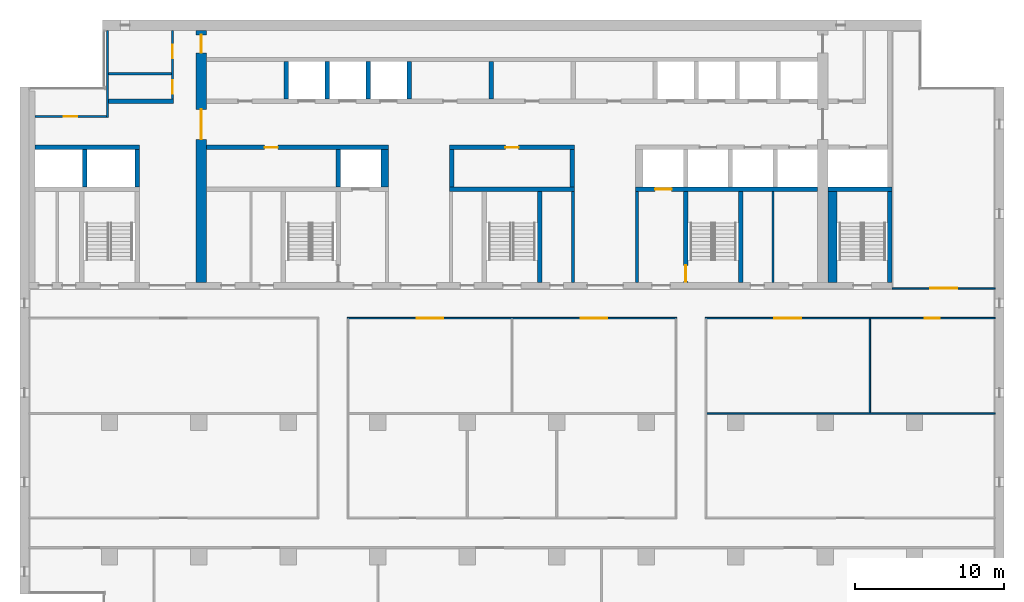
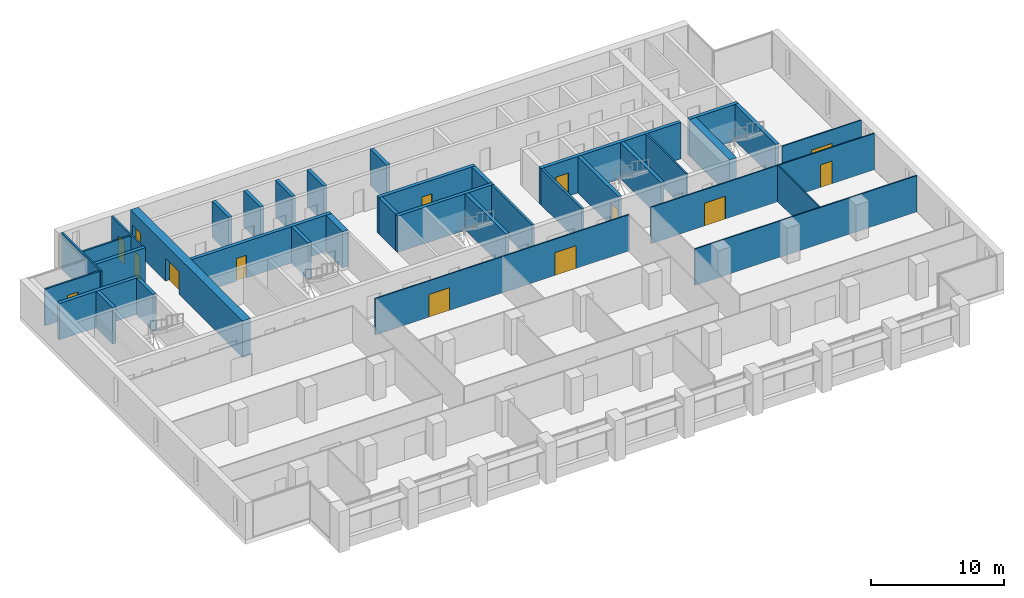
# One storey, part 10 of 17: 36 walls, 14 doors, 14 openings.
"""IFC4 building model written with IfcOpenShell, lengths in metres."""

import ifcopenshell
import ifcopenshell.guid

model = None  # the IFC model being written
_history = None  # IfcOwnerHistory: only IFC2X3 demands one
_inside = {}  # id of a spatial element -> (the spatial element, [elements in it])
_under = {}  # id of a project, library or spatial element -> (it, [spatial elements below it])
_declared = {}  # id of a project -> (the project, [libraries it declares])
_typed = {}  # id of a type object -> (the type object, [elements of that type])
_made_of = {}  # id of a material, layer set ... -> (it, [elements and type objects made of it])


def new_model(schema):
    """Start an empty IFC model of exactly this schema.

    Asked for "IFC4X3", IfcOpenShell would pick the latest addendum, in which some entities
    have other attributes; the version numbers below select the first issue.
    IFC2X3 requires an IfcOwnerHistory on every rooted entity: one is made here for all.
    """
    global model, _history
    if schema == "IFC4X3":
        model = ifcopenshell.file(schema_version=(4, 3, 0, 0))
    else:
        model = ifcopenshell.file(schema=schema)
    _inside.clear()
    _under.clear()
    _declared.clear()
    _typed.clear()
    _made_of.clear()
    _history = None
    if model.schema == "IFC2X3":
        org = make("IfcOrganization", Name="unknown")
        user = make(
            "IfcPersonAndOrganization",
            ThePerson=make("IfcPerson", FamilyName="unknown"),
            TheOrganization=org,
        )
        app = make(
            "IfcApplication",
            ApplicationDeveloper=org,
            Version="unknown",
            ApplicationFullName="unknown",
            ApplicationIdentifier="unknown",
        )
        _history = make(
            "IfcOwnerHistory",
            OwningUser=user,
            OwningApplication=app,
            ChangeAction="ADDED",
            CreationDate=0,
        )
    return model


def make(cls, **values):
    """One entity of the class cls with the attributes given. An attribute that is None is left unset."""
    return model.create_entity(
        cls, **{name: value for name, value in values.items() if value is not None}
    )


def rooted(cls, **values):
    """An entity with a GlobalId (a new one), such as an element, a storey or a relation."""
    return make(cls, GlobalId=ifcopenshell.guid.new(), OwnerHistory=_history, **values)


def si_unit(unit_type, name, prefix=None):
    """IfcSIUnit, for example si_unit("LENGTHUNIT", "METRE", prefix="MILLI")."""
    return make("IfcSIUnit", UnitType=unit_type, Prefix=prefix, Name=name)


def assignment(units):
    """IfcUnitAssignment: the units of a project."""
    return None if units is None else make("IfcUnitAssignment", Units=units)


def point(xyz):
    """IfcCartesianPoint."""
    return None if xyz is None else make("IfcCartesianPoint", Coordinates=xyz)


def direction(xyz):
    """IfcDirection."""
    return None if xyz is None else make("IfcDirection", DirectionRatios=xyz)


def frame(location, z_axis=None, x_axis=None):
    """IfcAxis2Placement3D, a coordinate frame: its origin and axes. An axis left out is left unset."""
    return make(
        "IfcAxis2Placement3D",
        Location=point(location),
        Axis=direction(z_axis),
        RefDirection=direction(x_axis),
    )


def frame_2d(location, x_axis=None):
    """IfcAxis2Placement2D, a coordinate frame in the plane: its origin and x axis."""
    return make(
        "IfcAxis2Placement2D", Location=point(location), RefDirection=direction(x_axis)
    )


def origin():
    """The frame at (0, 0, 0) with its axes left unset."""
    return frame((0.0, 0.0, 0.0))


def place(relative_to, where):
    """IfcLocalPlacement: puts the frame where relative to a parent placement (None: the world)."""
    return make(
        "IfcLocalPlacement", PlacementRelTo=relative_to, RelativePlacement=where
    )


def context(
    kind, dimensions, precision=None, world=None, true_north=None, identifier=None
):
    """IfcGeometricRepresentationContext, for example the 3D "Model" context."""
    return make(
        "IfcGeometricRepresentationContext",
        ContextIdentifier=identifier,
        ContextType=kind,
        CoordinateSpaceDimension=dimensions,
        Precision=precision,
        WorldCoordinateSystem=world,
        TrueNorth=true_north,
    )


def subcontext(parent, identifier, kind, view, scale=None):
    """IfcGeometricRepresentationSubContext, for example "Body" below "Model"."""
    return make(
        "IfcGeometricRepresentationSubContext",
        ContextIdentifier=identifier,
        ContextType=kind,
        ParentContext=parent,
        TargetScale=scale,
        TargetView=view,
    )


def project(units=None, contexts=None):
    """IfcProject with its units and contexts."""
    return rooted(
        "IfcProject",
        Name="project",
        RepresentationContexts=contexts,
        UnitsInContext=assignment(units),
    )


def spatial(cls, under=None, at=None, **own):
    """A site, building, storey or space (cls), placed at a placement, below another one or the project."""
    s = rooted(cls, ObjectPlacement=at, **own)
    if under is not None:
        _under.setdefault(under.id(), (under, []))[1].append(s)
    return s


def profile(cls, at=None, kind="AREA", **sizes):
    """A parametric profile (cls). Its sizes go by their IFC names, for example OverallWidth=200.0."""
    return make(cls, ProfileType=kind, Position=at, **sizes)


def rectangle(**sizes):
    """IfcRectangleProfileDef."""
    return profile("IfcRectangleProfileDef", **sizes)


def extrude(swept, where, along, depth):
    """IfcExtrudedAreaSolid: the profile swept, set in the frame where, extruded along a direction by depth."""
    return make(
        "IfcExtrudedAreaSolid",
        SweptArea=swept,
        Position=where,
        ExtrudedDirection=direction(along),
        Depth=depth,
    )


def shape(context_of_items, identifier, shape_type, items):
    """IfcShapeRepresentation: the items that make up one representation, for example the "Body"."""
    return make(
        "IfcShapeRepresentation",
        ContextOfItems=context_of_items,
        RepresentationIdentifier=identifier,
        RepresentationType=shape_type,
        Items=items,
    )


def material(Name=None, Category=None):
    """IfcMaterial."""
    return make("IfcMaterial", Name=Name, Category=Category)


def layer(
    of_material, thickness, ventilated=None, Name=None, Category=None, Priority=None
):
    """IfcMaterialLayer: one layer of a wall or slab, of a material (None: an air gap)."""
    return make(
        "IfcMaterialLayer",
        Material=of_material,
        LayerThickness=thickness,
        IsVentilated=ventilated,
        Name=Name,
        Category=Category,
        Priority=Priority,
    )


def layer_set(layers, Name=None):
    """IfcMaterialLayerSet."""
    return make("IfcMaterialLayerSet", MaterialLayers=layers, LayerSetName=Name)


def made_of(thing, what):
    """Note that an element or type object is made of a material, layer set ...; save() writes the relation."""
    if what is not None:
        _made_of.setdefault(what.id(), (what, []))[1].append(thing)
    return thing


def type_object(cls, material=None, **own):
    """A type object (cls), such as IfcWallType, which elements share."""
    return made_of(rooted(cls, **own), material)


def element(
    cls,
    number,
    at=None,
    inside=None,
    cuts=None,
    type_object=None,
    material=None,
    context=None,
    identifier="Body",
    shape_type=None,
    held_by="IfcProductDefinitionShape",
    body=None,
    shapes=None,
    **own,
):
    """One element of the class cls, such as IfcWall. Its Tag is "e" and its number.

    at: its placement. inside: the storey or other place that contains it. cuts: it is an
    opening in that element (IfcRelVoidsElement). A single representation is given by context,
    identifier, shape_type and body (its items); several are given by shapes. held_by: the class
    of the entity that holds the representations. save() writes the other relations.
    """
    e = rooted(cls, Tag="e%d" % number, ObjectPlacement=at, **own)
    if body is not None:
        shapes = [shape(context, identifier, shape_type, body)]
    if shapes is not None:
        e.Representation = make(held_by, Representations=shapes)
    if inside is not None:
        _inside.setdefault(inside.id(), (inside, []))[1].append(e)
    if cuts is not None:
        rooted(
            "IfcRelVoidsElement", RelatingBuildingElement=cuts, RelatedOpeningElement=e
        )
    if type_object is not None:
        _typed.setdefault(type_object.id(), (type_object, []))[1].append(e)
    return made_of(e, material)


def fill(opening, filler):
    """IfcRelFillsElement: the door or window that sits in an opening."""
    return rooted(
        "IfcRelFillsElement",
        RelatingOpeningElement=opening,
        RelatedBuildingElement=filler,
    )


def aggregate(whole, parts):
    """IfcRelAggregates: a whole, such as a stair, and the parts it consists of."""
    return rooted("IfcRelAggregates", RelatingObject=whole, RelatedObjects=parts)


def save(model, path):
    """Write the relations noted so far, then the file.

    IfcRelAggregates (storeys below a building ...), IfcRelContainedInSpatialStructure (elements
    in a storey), IfcRelDefinesByType, IfcRelAssociatesMaterial and IfcRelDeclares: one each for
    every whole, place, type object, material and project.
    """
    for whole, parts in _under.values():
        aggregate(whole, parts)
    for where, things in _inside.values():
        rooted(
            "IfcRelContainedInSpatialStructure",
            RelatedElements=things,
            RelatingStructure=where,
        )
    for kind, things in _typed.values():
        rooted("IfcRelDefinesByType", RelatedObjects=things, RelatingType=kind)
    for what, things in _made_of.values():
        rooted("IfcRelAssociatesMaterial", RelatedObjects=things, RelatingMaterial=what)
    for by, libraries in _declared.values():
        rooted("IfcRelDeclares", RelatingContext=by, RelatedDefinitions=libraries)
    model.write(path)


model = new_model("IFC4")

# Units and contexts
model_context = context("Model", 3, precision=1e-05, world=origin(), true_north=direction((0.0, 1.0)))
body_context = subcontext(model_context, "Body", "Model", "MODEL_VIEW")
ifc_project = project(units=[si_unit("LENGTHUNIT", "METRE"), si_unit("AREAUNIT", "SQUARE_METRE"), si_unit("VOLUMEUNIT", "CUBIC_METRE"), si_unit("PLANEANGLEUNIT", "RADIAN"), si_unit("MASSUNIT", "GRAM", prefix="KILO")], contexts=[model_context])

# Site, building, storey
site_placement = place(None, origin())
site = spatial("IfcSite", under=ifc_project, at=site_placement, CompositionType="ELEMENT")
building_placement = place(site_placement, origin())
building = spatial("IfcBuilding", under=site, at=building_placement, Name="Calvaro Tower", CompositionType="ELEMENT")
storey_placement = place(building_placement, frame((0.0, 0.0, 189.25)))
storey = spatial("IfcBuildingStorey", under=building, at=storey_placement, Name="L47", CompositionType="ELEMENT", Elevation=189.25)

# Walls
ifc_material_1 = material(Name="Blockwork partition", Category="masonry")
ifc_layer_1 = layer(ifc_material_1, 0.14990234375)
ifc_layer_set_1 = layer_set([ifc_layer_1], Name="Blockwork partition")
wall_type_1 = type_object("IfcWallType", Name="Core partition 150 EI 60", PredefinedType="PARTITIONING", material=ifc_layer_set_1)
wall_1_placement = place(storey_placement, frame((56.5, 28.39990234375, 0.0), z_axis=(0.0, 0.0, 1.0), x_axis=(0.0, 1.0, 0.0)))
element("IfcWall", 1, at=wall_1_placement, inside=storey, type_object=wall_type_1, Name="Core partition", PredefinedType="PARTITIONING", context=body_context, shape_type="SweptSolid", body=[
    extrude(rectangle(XDim=6.10009765625, YDim=0.14990234375, at=frame_2d((3.050048828125, 0.0))), origin(), (0.0, 0.0, 1.0), 3.35009765625),
])
wall_2_placement = place(storey_placement, frame((11.949951171875, 42.39990234375, 0.0), z_axis=(0.0, 0.0, 1.0), x_axis=(1.0, 0.0, 0.0)))
element("IfcWall", 2, at=wall_2_placement, inside=storey, type_object=wall_type_1, Name="Core partition", PredefinedType="PARTITIONING", context=body_context, shape_type="SweptSolid", body=[
    extrude(rectangle(XDim=4.199951171875, YDim=0.14990234375, at=frame_2d((2.10009765625, 0.0))), origin(), (0.0, 0.0, 1.0), 3.35009765625),
])

# Wall, openings, doors
ifc_material_2 = material(Name="Blockwork partition", Category="masonry")
ifc_layer_2 = layer(ifc_material_2, 0.14990234375)
ifc_layer_set_2 = layer_set([ifc_layer_2], Name="Blockwork partition")
wall_type_2 = type_object("IfcWallType", Name="Core partition 150 REI 120", PredefinedType="PARTITIONING", material=ifc_layer_set_2)
wall_3_placement = place(storey_placement, frame((16.22509765625, 45.300048828125, 0.0), z_axis=(0.0, 0.0, 1.0), x_axis=(0.0, -1.0, 0.0)))
wall_3 = element("IfcWall", 3, at=wall_3_placement, inside=storey, type_object=wall_type_2, Name="Core partition", PredefinedType="PARTITIONING", context=body_context, shape_type="SweptSolid", body=[
    extrude(rectangle(XDim=4.60009765625, YDim=0.14990234375, at=frame_2d((2.300048828125, 0.0))), origin(), (0.0, 0.0, 1.0), 3.35009765625),
])
opening_1_placement = place(wall_3_placement, frame((3.33740234375, 0.0, 0.0)))
opening_1 = element("IfcOpeningElement", 4, at=opening_1_placement, cuts=wall_3, Name="Opening RD9", PredefinedType="OPENING", context=body_context, shape_type="SweptSolid", body=[
    extrude(rectangle(XDim=0.89990234375, YDim=2.10009765625, at=frame_2d((0.449951171875, 1.050048828125))), frame((0.0, 0.0849609375, 0.0), z_axis=(0.0, -1.0, 0.0), x_axis=(1.0, 0.0, 0.0)), (0.0, 0.0, 1.0), 0.169921875),
])
opening_2_placement = place(wall_3_placement, frame((0.96240234375, 0.0, 0.0)))
opening_2 = element("IfcOpeningElement", 5, at=opening_2_placement, cuts=wall_3, Name="Opening RD9", PredefinedType="OPENING", context=body_context, shape_type="SweptSolid", body=[
    extrude(rectangle(XDim=0.89990234375, YDim=2.10009765625, at=frame_2d((0.449951171875, 1.050048828125))), frame((0.0, 0.0849609375, 0.0), z_axis=(0.0, -1.0, 0.0), x_axis=(1.0, 0.0, 0.0)), (0.0, 0.0, 1.0), 0.169921875),
])
ifc_material_3 = material(Name="Steel door set", Category="steel")
door_type_1 = type_object("IfcDoorType", Name="Room door 900", OperationType="SINGLE_SWING_LEFT", PredefinedType="DOOR", material=ifc_material_3)
door_1_placement = place(opening_1_placement, origin())
door_1 = element("IfcDoor", 6, at=door_1_placement, inside=storey, type_object=door_type_1, Name="Room door", OperationType="SINGLE_SWING_RIGHT", OverallHeight=2.10009765625, OverallWidth=0.89990234375, PredefinedType="DOOR", context=body_context, shape_type="SweptSolid", body=[
    extrude(rectangle(XDim=0.89990234375, YDim=2.10009765625, at=frame_2d((0.449951171875, 1.050048828125))), frame((0.0, 0.02490234375, 0.0), z_axis=(0.0, -1.0, 0.0), x_axis=(1.0, 0.0, 0.0)), (0.0, 0.0, 1.0), 0.050048828125),
])
fill(opening_1, door_1)
door_2_placement = place(opening_2_placement, origin())
door_2 = element("IfcDoor", 7, at=door_2_placement, inside=storey, type_object=door_type_1, Name="Room door", OperationType="SINGLE_SWING_LEFT", OverallHeight=2.10009765625, OverallWidth=0.89990234375, PredefinedType="DOOR", context=body_context, shape_type="SweptSolid", body=[
    extrude(rectangle(XDim=0.89990234375, YDim=2.10009765625, at=frame_2d((0.449951171875, 1.050048828125))), frame((0.0, 0.02490234375, 0.0), z_axis=(0.0, -1.0, 0.0), x_axis=(1.0, 0.0, 0.0)), (0.0, 0.0, 1.0), 0.050048828125),
])
fill(opening_2, door_2)

# Wall
wall_4_placement = place(storey_placement, frame((11.875, 39.449951171875, 0.0), z_axis=(0.0, 0.0, 1.0), x_axis=(0.0, 1.0, 0.0)))
element("IfcWall", 8, at=wall_4_placement, inside=storey, type_object=wall_type_2, Name="Core partition", PredefinedType="PARTITIONING", context=body_context, shape_type="SweptSolid", body=[
    extrude(rectangle(XDim=5.85009765625, YDim=0.14990234375, at=frame_2d((2.925048828125, 0.0))), origin(), (0.0, 0.0, 1.0), 3.35009765625),
])

# Wall, opening, door
wall_5_placement = place(storey_placement, frame((7.0, 39.52490234375, 0.0), z_axis=(0.0, 0.0, 1.0), x_axis=(1.0, 0.0, 0.0)))
wall_5 = element("IfcWall", 9, at=wall_5_placement, inside=storey, type_object=wall_type_2, Name="Core partition", PredefinedType="PARTITIONING", context=body_context, shape_type="SweptSolid", body=[
    extrude(rectangle(XDim=4.800048828125, YDim=0.14990234375, at=frame_2d((2.39990234375, 0.0))), origin(), (0.0, 0.0, 1.0), 3.35009765625),
])
opening_3_placement = place(wall_5_placement, frame((1.949951171875, 0.0, 0.0)))
opening_3 = element("IfcOpeningElement", 10, at=opening_3_placement, cuts=wall_5, Name="Opening RD9", PredefinedType="OPENING", context=body_context, shape_type="SweptSolid", body=[
    extrude(rectangle(XDim=0.89990234375, YDim=2.10009765625, at=frame_2d((0.449951171875, 1.050048828125))), frame((0.0, 0.0849609375, 0.0), z_axis=(0.0, -1.0, 0.0), x_axis=(1.0, 0.0, 0.0)), (0.0, 0.0, 1.0), 0.169921875),
])
door_3_placement = place(opening_3_placement, origin())
door_3 = element("IfcDoor", 11, at=door_3_placement, inside=storey, type_object=door_type_1, Name="Room door", OperationType="SINGLE_SWING_LEFT", OverallHeight=2.10009765625, OverallWidth=0.89990234375, PredefinedType="DOOR", context=body_context, shape_type="SweptSolid", body=[
    extrude(rectangle(XDim=0.89990234375, YDim=2.10009765625, at=frame_2d((0.449951171875, 1.050048828125))), frame((0.0, 0.02490234375, 0.0), z_axis=(0.0, -1.0, 0.0), x_axis=(1.0, 0.0, 0.0)), (0.0, 0.0, 1.0), 0.050048828125),
])
fill(opening_3, door_3)

# Walls
ifc_material_4 = material(Name="Blockwork partition", Category="masonry")
ifc_layer_3 = layer(ifc_material_4, 0.199951171875)
ifc_layer_set_3 = layer_set([ifc_layer_3], Name="Blockwork partition")
wall_type_3 = type_object("IfcWallType", Name="Core partition 200 REI 120", PredefinedType="PARTITIONING", material=ifc_layer_set_3)
for number, where, z_axis, x_axis, name in (
    (12, (43.10009765625, 28.39990234375, 0.0), (0.0, 0.0, 1.0), (0.0, 1.0, 0.0), "Core partition"),
    (13, (47.39990234375, 28.39990234375, 0.0), (0.0, 0.0, 1.0), (0.0, 1.0, 0.0), "Core partition"),
):
    element("IfcWall", number, at=place(storey_placement, frame(where, z_axis=z_axis, x_axis=x_axis)), inside=storey, type_object=wall_type_3, Name=name, PredefinedType="PARTITIONING", context=body_context, shape_type="SweptSolid", body=[
        extrude(rectangle(XDim=6.10009765625, YDim=0.199951171875, at=frame_2d((3.050048828125, 0.0))), origin(), (0.0, 0.0, 1.0), 3.35009765625),
    ])
ifc_material_5 = material(Name="Blockwork partition", Category="masonry")
ifc_layer_4 = layer(ifc_material_5, 0.300048828125)
ifc_layer_set_4 = layer_set([ifc_layer_4], Name="Blockwork partition")
wall_type_4 = type_object("IfcWallType", Name="Core partition 300 REI 120", PredefinedType="PARTITIONING", material=ifc_layer_set_4)
wall_6_placement = place(storey_placement, frame((11.949951171875, 40.550048828125, 0.0), z_axis=(0.0, 0.0, 1.0), x_axis=(1.0, 0.0, 0.0)))
element("IfcWall", 14, at=wall_6_placement, inside=storey, type_object=wall_type_4, Name="Core partition", PredefinedType="PARTITIONING", context=body_context, shape_type="SweptSolid", body=[
    extrude(rectangle(XDim=4.35009765625, YDim=0.300048828125, at=frame_2d((2.175048828125, 0.0))), origin(), (0.0, 0.0, 1.0), 3.35009765625),
])
wall_7_placement = place(storey_placement, frame((37.60009765625, 40.699951171875, 0.0), z_axis=(0.0, 0.0, 1.0), x_axis=(0.0, 1.0, 0.0)))
element("IfcWall", 15, at=wall_7_placement, inside=storey, type_object=wall_type_4, Name="Core partition", PredefinedType="PARTITIONING", context=body_context, shape_type="SweptSolid", body=[
    extrude(rectangle(XDim=2.5, YDim=0.300048828125, at=frame_2d((1.25, 0.0))), origin(), (0.0, 0.0, 1.0), 3.35009765625),
])
ifc_material_6 = material(Name="Concrete C50/60", Category="concrete")
ifc_layer_5 = layer(ifc_material_6, 0.300048828125)
ifc_layer_set_5 = layer_set([ifc_layer_5], Name="Concrete C50/60")
wall_type_5 = type_object("IfcWallType", Name="Core wall C50/60 300", PredefinedType="SHEAR", material=ifc_layer_set_5)
wall_8_placement = place(storey_placement, frame((40.85009765625, 28.39990234375, 0.0), z_axis=(0.0, 0.0, 1.0), x_axis=(0.0, 1.0, 0.0)))
element("IfcWall", 16, at=wall_8_placement, inside=storey, type_object=wall_type_5, Name="Core wall, stair enclosure", PredefinedType="SHEAR", context=body_context, shape_type="SweptSolid", body=[
    extrude(rectangle(XDim=6.10009765625, YDim=0.300048828125, at=frame_2d((3.050048828125, 0.0))), origin(), (0.0, 0.0, 1.0), 3.35009765625),
])

# Wall, opening, door
wall_9_placement = place(storey_placement, frame((50.64990234375, 34.5, 0.0), z_axis=(0.0, 0.0, 1.0), x_axis=(0.0, -1.0, 0.0)))
wall_9 = element("IfcWall", 17, at=wall_9_placement, inside=storey, type_object=wall_type_5, Name="Core wall, stair enclosure", PredefinedType="SHEAR", context=body_context, shape_type="SweptSolid", body=[
    extrude(rectangle(XDim=6.10009765625, YDim=0.300048828125, at=frame_2d((3.050048828125, 0.0))), origin(), (0.0, 0.0, 1.0), 3.35009765625),
])
opening_4_placement = place(wall_9_placement, frame((4.949951171875, 0.0, 0.0)))
opening_4 = element("IfcOpeningElement", 18, at=opening_4_placement, cuts=wall_9, Name="Opening FD11D", PredefinedType="OPENING", context=body_context, shape_type="SweptSolid", body=[
    extrude(rectangle(XDim=1.10009765625, YDim=2.10009765625, at=frame_2d((0.550048828125, 1.050048828125))), frame((0.0, 0.159912109375, 0.0), z_axis=(0.0, -1.0, 0.0), x_axis=(1.0, 0.0, 0.0)), (0.0, 0.0, 1.0), 0.320068359375),
])
ifc_material_7 = material(Name="Steel door set", Category="steel")
door_type_2 = type_object("IfcDoorType", Name="Fire door 1100 FD30S", OperationType="SINGLE_SWING_LEFT", PredefinedType="DOOR", material=ifc_material_7)
door_4_placement = place(opening_4_placement, origin())
door_4 = element("IfcDoor", 19, at=door_4_placement, inside=storey, type_object=door_type_2, Name="Fire door", OperationType="SINGLE_SWING_RIGHT", OverallHeight=2.10009765625, OverallWidth=1.10009765625, PredefinedType="DOOR", context=body_context, shape_type="SweptSolid", body=[
    extrude(rectangle(XDim=1.10009765625, YDim=2.10009765625, at=frame_2d((0.550048828125, 1.050048828125))), frame((0.0, 0.02490234375, 0.0), z_axis=(0.0, -1.0, 0.0), x_axis=(1.0, 0.0, 0.0)), (0.0, 0.0, 1.0), 0.050048828125),
])
fill(opening_4, door_4)

# Walls
for number, where, z_axis, x_axis, name in (
    (20, (54.35009765625, 28.39990234375, 0.0), (0.0, 0.0, 1.0), (0.0, 1.0, 0.0), "Core wall, stair enclosure"),
    (21, (64.35009765625, 28.39990234375, 0.0), (0.0, 0.0, 1.0), (0.0, 1.0, 0.0), "Core wall, stair enclosure"),
):
    element("IfcWall", number, at=place(storey_placement, frame(where, z_axis=z_axis, x_axis=x_axis)), inside=storey, type_object=wall_type_5, Name=name, PredefinedType="SHEAR", context=body_context, shape_type="SweptSolid", body=[
        extrude(rectangle(XDim=6.10009765625, YDim=0.300048828125, at=frame_2d((3.050048828125, 0.0))), origin(), (0.0, 0.0, 1.0), 3.35009765625),
    ])
wall_10_placement = place(storey_placement, frame((34.800048828125, 34.64990234375, 0.0), z_axis=(0.0, 0.0, 1.0), x_axis=(1.0, 0.0, 0.0)))
element("IfcWall", 22, at=wall_10_placement, inside=storey, type_object=wall_type_5, Name="Core wall, lift shaft", PredefinedType="SHEAR", context=body_context, shape_type="SweptSolid", body=[
    extrude(rectangle(XDim=8.39990234375, YDim=0.300048828125, at=frame_2d((4.199951171875, 0.0))), origin(), (0.0, 0.0, 1.0), 3.35009765625),
])

# Wall, opening, door
wall_11_placement = place(storey_placement, frame((47.300048828125, 34.64990234375, 0.0), z_axis=(0.0, 0.0, 1.0), x_axis=(1.0, 0.0, 0.0)))
wall_11 = element("IfcWall", 23, at=wall_11_placement, inside=storey, type_object=wall_type_5, Name="Core wall, lift shaft", PredefinedType="SHEAR", context=body_context, shape_type="SweptSolid", body=[
    extrude(rectangle(XDim=12.199951171875, YDim=0.300048828125, at=frame_2d((6.10009765625, 0.0))), origin(), (0.0, 0.0, 1.0), 3.35009765625),
])
opening_5_placement = place(wall_11_placement, frame((1.300048828125, 0.0, 0.0)))
opening_5 = element("IfcOpeningElement", 24, at=opening_5_placement, cuts=wall_11, Name="Opening FF2", PredefinedType="OPENING", context=body_context, shape_type="SweptSolid", body=[
    extrude(rectangle(XDim=1.10009765625, YDim=2.10009765625, at=frame_2d((0.550048828125, 1.050048828125))), frame((0.0, 0.159912109375, 0.0), z_axis=(0.0, -1.0, 0.0), x_axis=(1.0, 0.0, 0.0)), (0.0, 0.0, 1.0), 0.320068359375),
])
ifc_material_8 = material(Name="Stainless steel", Category="steel")
door_type_3 = type_object("IfcDoorType", Name="Landing door 1100 E 60", OperationType="SLIDING_TO_LEFT", PredefinedType="DOOR", material=ifc_material_8)
door_5_placement = place(opening_5_placement, origin())
door_5 = element("IfcDoor", 25, at=door_5_placement, inside=storey, type_object=door_type_3, Name="Landing door FF2", OperationType="SLIDING_TO_LEFT", OverallHeight=2.10009765625, OverallWidth=1.10009765625, PredefinedType="DOOR", context=body_context, shape_type="SweptSolid", body=[
    extrude(rectangle(XDim=1.10009765625, YDim=2.10009765625, at=frame_2d((0.550048828125, 1.050048828125))), frame((0.0, 0.02490234375, 0.0), z_axis=(0.0, -1.0, 0.0), x_axis=(1.0, 0.0, 0.0)), (0.0, 0.0, 1.0), 0.050048828125),
])
fill(opening_5, door_5)

# Walls
wall_12_placement = place(storey_placement, frame((60.199951171875, 34.64990234375, 0.0), z_axis=(0.0, 0.0, 1.0), x_axis=(1.0, 0.0, 0.0)))
element("IfcWall", 26, at=wall_12_placement, inside=storey, type_object=wall_type_5, Name="Core wall, lift shaft", PredefinedType="SHEAR", context=body_context, shape_type="SweptSolid", body=[
    extrude(rectangle(XDim=4.300048828125, YDim=0.300048828125, at=frame_2d((2.14990234375, 0.0))), origin(), (0.0, 0.0, 1.0), 3.35009765625),
])
wall_13_placement = place(storey_placement, frame((7.0, 37.449951171875, 0.0), z_axis=(0.0, 0.0, 1.0), x_axis=(1.0, 0.0, 0.0)))
element("IfcWall", 27, at=wall_13_placement, inside=storey, type_object=wall_type_5, Name="Core wall, lift shaft", PredefinedType="SHEAR", context=body_context, shape_type="SweptSolid", body=[
    extrude(rectangle(XDim=7.0, YDim=0.300048828125, at=frame_2d((3.5, 0.0))), origin(), (0.0, 0.0, 1.0), 3.35009765625),
])

# Wall, opening, door
wall_14_placement = place(storey_placement, frame((30.699951171875, 37.449951171875, 0.0), z_axis=(0.0, 0.0, 1.0), x_axis=(-1.0, 0.0, 0.0)))
wall_14 = element("IfcWall", 28, at=wall_14_placement, inside=storey, type_object=wall_type_5, Name="Core wall, bay", PredefinedType="SHEAR", context=body_context, shape_type="SweptSolid", body=[
    extrude(rectangle(XDim=12.199951171875, YDim=0.300048828125, at=frame_2d((6.10009765625, 0.0))), origin(), (0.0, 0.0, 1.0), 3.35009765625),
])
opening_6_placement = place(wall_14_placement, frame((7.39990234375, 0.0, 0.0)))
opening_6 = element("IfcOpeningElement", 29, at=opening_6_placement, cuts=wall_14, Name="Opening RD9E", PredefinedType="OPENING", context=body_context, shape_type="SweptSolid", body=[
    extrude(rectangle(XDim=0.89990234375, YDim=2.10009765625, at=frame_2d((0.449951171875, 1.050048828125))), frame((0.0, 0.159912109375, 0.0), z_axis=(0.0, -1.0, 0.0), x_axis=(1.0, 0.0, 0.0)), (0.0, 0.0, 1.0), 0.320068359375),
])
ifc_material_9 = material(Name="Steel door set", Category="steel")
door_type_4 = type_object("IfcDoorType", Name="Room door 900 FD60", OperationType="SINGLE_SWING_LEFT", PredefinedType="DOOR", material=ifc_material_9)
door_6_placement = place(opening_6_placement, origin())
door_6 = element("IfcDoor", 30, at=door_6_placement, inside=storey, type_object=door_type_4, Name="Room door", OperationType="SINGLE_SWING_LEFT", OverallHeight=2.10009765625, OverallWidth=0.89990234375, PredefinedType="DOOR", context=body_context, shape_type="SweptSolid", body=[
    extrude(rectangle(XDim=0.89990234375, YDim=2.10009765625, at=frame_2d((0.449951171875, 1.050048828125))), frame((0.0, 0.02490234375, 0.0), z_axis=(0.0, -1.0, 0.0), x_axis=(1.0, 0.0, 0.0)), (0.0, 0.0, 1.0), 0.050048828125),
])
fill(opening_6, door_6)

wall_15_placement = place(storey_placement, frame((43.199951171875, 37.449951171875, 0.0), z_axis=(0.0, 0.0, 1.0), x_axis=(-1.0, 0.0, 0.0)))
wall_15 = element("IfcWall", 31, at=wall_15_placement, inside=storey, type_object=wall_type_5, Name="Core wall, bay", PredefinedType="SHEAR", context=body_context, shape_type="SweptSolid", body=[
    extrude(rectangle(XDim=8.39990234375, YDim=0.300048828125, at=frame_2d((4.199951171875, 0.0))), origin(), (0.0, 0.0, 1.0), 3.35009765625),
])
opening_7_placement = place(wall_15_placement, frame((3.75, 0.0, 0.0)))
opening_7 = element("IfcOpeningElement", 32, at=opening_7_placement, cuts=wall_15, Name="Opening RD9E", PredefinedType="OPENING", context=body_context, shape_type="SweptSolid", body=[
    extrude(rectangle(XDim=0.89990234375, YDim=2.10009765625, at=frame_2d((0.449951171875, 1.050048828125))), frame((0.0, 0.159912109375, 0.0), z_axis=(0.0, -1.0, 0.0), x_axis=(1.0, 0.0, 0.0)), (0.0, 0.0, 1.0), 0.320068359375),
])
door_7_placement = place(opening_7_placement, origin())
door_7 = element("IfcDoor", 33, at=door_7_placement, inside=storey, type_object=door_type_4, Name="Room door", OperationType="SINGLE_SWING_RIGHT", OverallHeight=2.10009765625, OverallWidth=0.89990234375, PredefinedType="DOOR", context=body_context, shape_type="SweptSolid", body=[
    extrude(rectangle(XDim=0.89990234375, YDim=2.10009765625, at=frame_2d((0.449951171875, 1.050048828125))), frame((0.0, 0.02490234375, 0.0), z_axis=(0.0, -1.0, 0.0), x_axis=(1.0, 0.0, 0.0)), (0.0, 0.0, 1.0), 0.050048828125),
])
fill(opening_7, door_7)

# Walls
for number, where, z_axis, x_axis, name in (
    (34, (27.35009765625, 34.800048828125, 0.0), (0.0, 0.0, 1.0), (0.0, 1.0, 0.0), "Core wall, lift shaft"),
    (35, (34.949951171875, 34.800048828125, 0.0), (0.0, 0.0, 1.0), (0.0, 1.0, 0.0), "Core wall, lift shaft"),
    (36, (43.050048828125, 34.800048828125, 0.0), (0.0, 0.0, 1.0), (0.0, 1.0, 0.0), "Core wall, lift shaft"),
    (37, (13.85009765625, 34.800048828125, 0.0), (0.0, 0.0, 1.0), (0.0, 1.0, 0.0), "Core wall, lift shaft"),
    (38, (23.85009765625, 40.699951171875, 0.0), (0.0, 0.0, 1.0), (0.0, 1.0, 0.0), "Core wall, lift shaft"),
    (39, (26.60009765625, 40.699951171875, 0.0), (0.0, 0.0, 1.0), (0.0, 1.0, 0.0), "Core wall, lift shaft"),
    (40, (29.35009765625, 40.699951171875, 0.0), (0.0, 0.0, 1.0), (0.0, 1.0, 0.0), "Core wall, lift shaft"),
    (41, (32.10009765625, 40.699951171875, 0.0), (0.0, 0.0, 1.0), (0.0, 1.0, 0.0), "Core wall, lift shaft"),
    (42, (10.35009765625, 34.800048828125, 0.0), (0.0, 0.0, 1.0), (0.0, 1.0, 0.0), "Core wall, lift shaft"),
):
    element("IfcWall", number, at=place(storey_placement, frame(where, z_axis=z_axis, x_axis=x_axis)), inside=storey, type_object=wall_type_5, Name=name, PredefinedType="SHEAR", context=body_context, shape_type="SweptSolid", body=[
        extrude(rectangle(XDim=2.5, YDim=0.300048828125, at=frame_2d((1.25, 0.0))), origin(), (0.0, 0.0, 1.0), 3.35009765625),
    ])
ifc_material_10 = material(Name="Concrete C50/60", Category="concrete")
ifc_layer_6 = layer(ifc_material_10, 0.5)
ifc_layer_set_6 = layer_set([ifc_layer_6], Name="Concrete C50/60")
wall_type_6 = type_object("IfcWallType", Name="Core wall C50/60 500", PredefinedType="SHEAR", material=ifc_layer_set_6)
wall_16_placement = place(storey_placement, frame((30.449951171875, 34.800048828125, 0.0), z_axis=(0.0, 0.0, 1.0), x_axis=(0.0, 1.0, 0.0)))
element("IfcWall", 43, at=wall_16_placement, inside=storey, type_object=wall_type_6, Name="Core wall, lift shaft", PredefinedType="SHEAR", context=body_context, shape_type="SweptSolid", body=[
    extrude(rectangle(XDim=2.5, YDim=0.5, at=frame_2d((1.25, 0.0))), origin(), (0.0, 0.0, 1.0), 3.35009765625),
])
ifc_material_11 = material(Name="Concrete C50/60", Category="concrete")
ifc_layer_7 = layer(ifc_material_11, 0.60009765625)
ifc_layer_set_7 = layer_set([ifc_layer_7], Name="Concrete C50/60")
wall_type_7 = type_object("IfcWallType", Name="Core wall C50/60 600", PredefinedType="SHEAR", material=ifc_layer_set_7)
wall_17_placement = place(storey_placement, frame((60.5, 28.39990234375, 0.0), z_axis=(0.0, 0.0, 1.0), x_axis=(0.0, 1.0, 0.0)))
element("IfcWall", 44, at=wall_17_placement, inside=storey, type_object=wall_type_7, Name="Core wall, stair enclosure", PredefinedType="SHEAR", context=body_context, shape_type="SweptSolid", body=[
    extrude(rectangle(XDim=6.10009765625, YDim=0.60009765625, at=frame_2d((3.050048828125, 0.0))), origin(), (0.0, 0.0, 1.0), 3.35009765625),
])

# Wall, openings, doors
ifc_material_12 = material(Name="Concrete C50/60", Category="concrete")
ifc_layer_8 = layer(ifc_material_12, 0.699951171875)
ifc_layer_set_8 = layer_set([ifc_layer_8], Name="Concrete C50/60")
wall_type_8 = type_object("IfcWallType", Name="Core wall C50/60 700", PredefinedType="SHEAR", material=ifc_layer_set_8)
wall_18_placement = place(storey_placement, frame((18.14990234375, 28.39990234375, 0.0), z_axis=(0.0, 0.0, 1.0), x_axis=(0.0, 1.0, 0.0)))
wall_18 = element("IfcWall", 45, at=wall_18_placement, inside=storey, type_object=wall_type_8, Name="Core wall, cross shear wall", PredefinedType="SHEAR", context=body_context, shape_type="SweptSolid", body=[
    extrude(rectangle(XDim=16.900146484375, YDim=0.699951171875, at=frame_2d((8.4501953125, 0.0))), origin(), (0.0, 0.0, 1.0), 3.35009765625),
])
opening_8_placement = place(wall_18_placement, frame((9.60009765625, 0.0, 0.0)))
opening_8 = element("IfcOpeningElement", 46, at=opening_8_placement, cuts=wall_18, Name="Opening DD20D", PredefinedType="OPENING", context=body_context, shape_type="SweptSolid", body=[
    extrude(rectangle(XDim=2.0, YDim=2.10009765625, at=frame_2d((1.0, 1.050048828125))), frame((0.0, 0.35986328125, 0.0), z_axis=(0.0, -1.0, 0.0), x_axis=(1.0, 0.0, 0.0)), (0.0, 0.0, 1.0), 0.719970703125),
])
opening_9_placement = place(wall_18_placement, frame((15.39990234375, 0.0, 0.0)))
opening_9 = element("IfcOpeningElement", 47, at=opening_9_placement, cuts=wall_18, Name="Opening FD12C", PredefinedType="OPENING", context=body_context, shape_type="SweptSolid", body=[
    extrude(rectangle(XDim=1.199951171875, YDim=2.10009765625, at=frame_2d((0.60009765625, 1.050048828125))), frame((0.0, 0.35986328125, 0.0), z_axis=(0.0, -1.0, 0.0), x_axis=(1.0, 0.0, 0.0)), (0.0, 0.0, 1.0), 0.719970703125),
])
ifc_material_13 = material(Name="Steel door set", Category="steel")
door_type_5 = type_object("IfcDoorType", Name="Fire door 1200 FD30", OperationType="SINGLE_SWING_LEFT", PredefinedType="DOOR", material=ifc_material_13)
door_8_placement = place(opening_9_placement, origin())
door_8 = element("IfcDoor", 48, at=door_8_placement, inside=storey, type_object=door_type_5, Name="Fire door", OperationType="SINGLE_SWING_LEFT", OverallHeight=2.10009765625, OverallWidth=1.199951171875, PredefinedType="DOOR", context=body_context, shape_type="SweptSolid", body=[
    extrude(rectangle(XDim=1.199951171875, YDim=2.10009765625, at=frame_2d((0.60009765625, 1.050048828125))), frame((0.0, 0.02490234375, 0.0), z_axis=(0.0, -1.0, 0.0), x_axis=(1.0, 0.0, 0.0)), (0.0, 0.0, 1.0), 0.050048828125),
])
fill(opening_9, door_8)
ifc_material_14 = material(Name="Steel door set", Category="steel")
door_type_6 = type_object("IfcDoorType", Name="Lobby double door 2000 FD30S", OperationType="DOUBLE_DOOR_SINGLE_SWING", PredefinedType="DOOR", material=ifc_material_14)
door_9_placement = place(opening_8_placement, origin())
door_9 = element("IfcDoor", 49, at=door_9_placement, inside=storey, type_object=door_type_6, Name="Lobby double door", OperationType="DOUBLE_DOOR_SINGLE_SWING", OverallHeight=2.10009765625, OverallWidth=2.0, PredefinedType="DOOR", context=body_context, shape_type="SweptSolid", body=[
    extrude(rectangle(XDim=2.0, YDim=2.10009765625, at=frame_2d((1.0, 1.050048828125))), frame((0.0, 0.02490234375, 0.0), z_axis=(0.0, -1.0, 0.0), x_axis=(1.0, 0.0, 0.0)), (0.0, 0.0, 1.0), 0.050048828125),
])
fill(opening_8, door_9)

# Wall
ifc_material_15 = material(Name="Plasterboard on steel studs", Category="steel")
ifc_layer_9 = layer(ifc_material_15, 0.10009765625)
ifc_layer_set_9 = layer_set([ifc_layer_9], Name="Plasterboard on steel studs")
wall_type_9 = type_object("IfcWallType", Name="Partition 100", PredefinedType="PARTITIONING", material=ifc_layer_set_9)
wall_19_placement = place(storey_placement, frame((52.050048828125, 19.60009765625, 0.0), z_axis=(0.0, 0.0, 1.0), x_axis=(1.0, 0.0, 0.0)))
element("IfcWall", 50, at=wall_19_placement, inside=storey, type_object=wall_type_9, Name="Partition T27.W007", PredefinedType="PARTITIONING", context=body_context, shape_type="SweptSolid", body=[
    extrude(rectangle(XDim=19.349853515625, YDim=0.10009765625, at=frame_2d((9.6748046875, 0.0))), origin(), (0.0, 0.0, 1.0), 3.35009765625),
])

# Wall, openings, doors
wall_20_placement = place(storey_placement, frame((27.949951171875, 26.0, 0.0), z_axis=(0.0, 0.0, 1.0), x_axis=(1.0, 0.0, 0.0)))
wall_20 = element("IfcWall", 51, at=wall_20_placement, inside=storey, type_object=wall_type_9, Name="Partition T27.W009", PredefinedType="PARTITIONING", context=body_context, shape_type="SweptSolid", body=[
    extrude(rectangle(XDim=22.10009765625, YDim=0.10009765625, at=frame_2d((11.050048828125, 0.0))), origin(), (0.0, 0.0, 1.0), 3.35009765625),
])
opening_10_placement = place(wall_20_placement, frame((4.64990234375, 0.0, 0.0)))
opening_10 = element("IfcOpeningElement", 52, at=opening_10_placement, cuts=wall_20, Name="Opening T27.011", PredefinedType="OPENING", context=body_context, shape_type="SweptSolid", body=[
    extrude(rectangle(XDim=1.800048828125, YDim=2.10009765625, at=frame_2d((0.89990234375, 1.050048828125))), frame((0.0, 0.06005859375, 0.0), z_axis=(0.0, -1.0, 0.0), x_axis=(1.0, 0.0, 0.0)), (0.0, 0.0, 1.0), 0.1201171875),
])
opening_11_placement = place(wall_20_placement, frame((15.64990234375, 0.0, 0.0)))
opening_11 = element("IfcOpeningElement", 53, at=opening_11_placement, cuts=wall_20, Name="Opening T27.012", PredefinedType="OPENING", context=body_context, shape_type="SweptSolid", body=[
    extrude(rectangle(XDim=1.800048828125, YDim=2.10009765625, at=frame_2d((0.89990234375, 1.050048828125))), frame((0.0, 0.06005859375, 0.0), z_axis=(0.0, -1.0, 0.0), x_axis=(1.0, 0.0, 0.0)), (0.0, 0.0, 1.0), 0.1201171875),
])
ifc_material_16 = material(Name="Timber", Category="wood")
door_type_7 = type_object("IfcDoorType", Name="Internal double door 1800 x 2100", OperationType="DOUBLE_DOOR_SINGLE_SWING", PredefinedType="DOOR", material=ifc_material_16)
door_10_placement = place(opening_10_placement, origin())
door_10 = element("IfcDoor", 54, at=door_10_placement, inside=storey, type_object=door_type_7, Name="Door T27.011", OperationType="DOUBLE_DOOR_SINGLE_SWING", OverallHeight=2.10009765625, OverallWidth=1.800048828125, PredefinedType="DOOR", context=body_context, shape_type="SweptSolid", body=[
    extrude(rectangle(XDim=1.800048828125, YDim=2.10009765625, at=frame_2d((0.89990234375, 1.050048828125))), frame((0.0, 0.02490234375, 0.0), z_axis=(0.0, -1.0, 0.0), x_axis=(1.0, 0.0, 0.0)), (0.0, 0.0, 1.0), 0.050048828125),
])
fill(opening_10, door_10)
door_11_placement = place(opening_11_placement, origin())
door_11 = element("IfcDoor", 55, at=door_11_placement, inside=storey, type_object=door_type_7, Name="Door T27.012", OperationType="DOUBLE_DOOR_SINGLE_SWING", OverallHeight=2.10009765625, OverallWidth=1.800048828125, PredefinedType="DOOR", context=body_context, shape_type="SweptSolid", body=[
    extrude(rectangle(XDim=1.800048828125, YDim=2.10009765625, at=frame_2d((0.89990234375, 1.050048828125))), frame((0.0, 0.02490234375, 0.0), z_axis=(0.0, -1.0, 0.0), x_axis=(1.0, 0.0, 0.0)), (0.0, 0.0, 1.0), 0.050048828125),
])
fill(opening_11, door_11)

wall_21_placement = place(storey_placement, frame((51.949951171875, 26.0, 0.0), z_axis=(0.0, 0.0, 1.0), x_axis=(1.0, 0.0, 0.0)))
wall_21 = element("IfcWall", 56, at=wall_21_placement, inside=storey, type_object=wall_type_9, Name="Partition T27.W010", PredefinedType="PARTITIONING", context=body_context, shape_type="SweptSolid", body=[
    extrude(rectangle(XDim=19.449951171875, YDim=0.10009765625, at=frame_2d((9.72509765625, 0.0))), origin(), (0.0, 0.0, 1.0), 3.35009765625),
])
opening_12_placement = place(wall_21_placement, frame((4.64990234375, 0.0, 0.0)))
opening_12 = element("IfcOpeningElement", 57, at=opening_12_placement, cuts=wall_21, Name="Opening T27.013", PredefinedType="OPENING", context=body_context, shape_type="SweptSolid", body=[
    extrude(rectangle(XDim=1.800048828125, YDim=2.10009765625, at=frame_2d((0.89990234375, 1.050048828125))), frame((0.0, 0.06005859375, 0.0), z_axis=(0.0, -1.0, 0.0), x_axis=(1.0, 0.0, 0.0)), (0.0, 0.0, 1.0), 0.1201171875),
])
opening_13_placement = place(wall_21_placement, frame((14.75, 0.0, 0.0)))
opening_13 = element("IfcOpeningElement", 58, at=opening_13_placement, cuts=wall_21, Name="Opening T27.014", PredefinedType="OPENING", context=body_context, shape_type="SweptSolid", body=[
    extrude(rectangle(XDim=1.0, YDim=2.10009765625, at=frame_2d((0.5, 1.050048828125))), frame((0.0, 0.06005859375, 0.0), z_axis=(0.0, -1.0, 0.0), x_axis=(1.0, 0.0, 0.0)), (0.0, 0.0, 1.0), 0.1201171875),
])
door_12_placement = place(opening_12_placement, origin())
door_12 = element("IfcDoor", 59, at=door_12_placement, inside=storey, type_object=door_type_7, Name="Door T27.013", OperationType="DOUBLE_DOOR_SINGLE_SWING", OverallHeight=2.10009765625, OverallWidth=1.800048828125, PredefinedType="DOOR", context=body_context, shape_type="SweptSolid", body=[
    extrude(rectangle(XDim=1.800048828125, YDim=2.10009765625, at=frame_2d((0.89990234375, 1.050048828125))), frame((0.0, 0.02490234375, 0.0), z_axis=(0.0, -1.0, 0.0), x_axis=(1.0, 0.0, 0.0)), (0.0, 0.0, 1.0), 0.050048828125),
])
fill(opening_12, door_12)
ifc_material_17 = material(Name="Timber", Category="wood")
door_type_8 = type_object("IfcDoorType", Name="Internal single door 1000 x 2100", OperationType="SINGLE_SWING_LEFT", PredefinedType="DOOR", material=ifc_material_17)
door_13_placement = place(opening_13_placement, origin())
door_13 = element("IfcDoor", 60, at=door_13_placement, inside=storey, type_object=door_type_8, Name="Door T27.014", OperationType="SINGLE_SWING_RIGHT", OverallHeight=2.10009765625, OverallWidth=1.0, PredefinedType="DOOR", context=body_context, shape_type="SweptSolid", body=[
    extrude(rectangle(XDim=1.0, YDim=2.10009765625, at=frame_2d((0.5, 1.050048828125))), frame((0.0, 0.02490234375, 0.0), z_axis=(0.0, -1.0, 0.0), x_axis=(1.0, 0.0, 0.0)), (0.0, 0.0, 1.0), 0.050048828125),
])
fill(opening_13, door_13)

# Wall, opening, door
wall_22_placement = place(storey_placement, frame((64.5, 28.0, 0.0), z_axis=(0.0, 0.0, 1.0), x_axis=(1.0, 0.0, 0.0)))
wall_22 = element("IfcWall", 61, at=wall_22_placement, inside=storey, type_object=wall_type_9, Name="Partition T27.W011", PredefinedType="PARTITIONING", context=body_context, shape_type="SweptSolid", body=[
    extrude(rectangle(XDim=6.89990234375, YDim=0.10009765625, at=frame_2d((3.449951171875, 0.0))), origin(), (0.0, 0.0, 1.0), 3.35009765625),
])
opening_14_placement = place(wall_22_placement, frame((2.550048828125, 0.0, 0.0)))
opening_14 = element("IfcOpeningElement", 62, at=opening_14_placement, cuts=wall_22, Name="Opening T27.015", PredefinedType="OPENING", context=body_context, shape_type="SweptSolid", body=[
    extrude(rectangle(XDim=1.800048828125, YDim=2.10009765625, at=frame_2d((0.89990234375, 1.050048828125))), frame((0.0, 0.06005859375, 0.0), z_axis=(0.0, -1.0, 0.0), x_axis=(1.0, 0.0, 0.0)), (0.0, 0.0, 1.0), 0.1201171875),
])
door_14_placement = place(opening_14_placement, origin())
door_14 = element("IfcDoor", 63, at=door_14_placement, inside=storey, type_object=door_type_7, Name="Door T27.015", OperationType="DOUBLE_DOOR_SINGLE_SWING", OverallHeight=2.10009765625, OverallWidth=1.800048828125, PredefinedType="DOOR", context=body_context, shape_type="SweptSolid", body=[
    extrude(rectangle(XDim=1.800048828125, YDim=2.10009765625, at=frame_2d((0.89990234375, 1.050048828125))), frame((0.0, 0.02490234375, 0.0), z_axis=(0.0, -1.0, 0.0), x_axis=(1.0, 0.0, 0.0)), (0.0, 0.0, 1.0), 0.050048828125),
])
fill(opening_14, door_14)

# Wall
wall_23_placement = place(storey_placement, frame((63.0, 19.64990234375, 0.0), z_axis=(0.0, 0.0, 1.0), x_axis=(0.0, 1.0, 0.0)))
element("IfcWall", 64, at=wall_23_placement, inside=storey, type_object=wall_type_9, Name="Partition T27.W022", PredefinedType="PARTITIONING", context=body_context, shape_type="SweptSolid", body=[
    extrude(rectangle(XDim=6.300048828125, YDim=0.10009765625, at=frame_2d((3.14990234375, 0.0))), origin(), (0.0, 0.0, 1.0), 3.35009765625),
])

save(model, "model.ifc")
